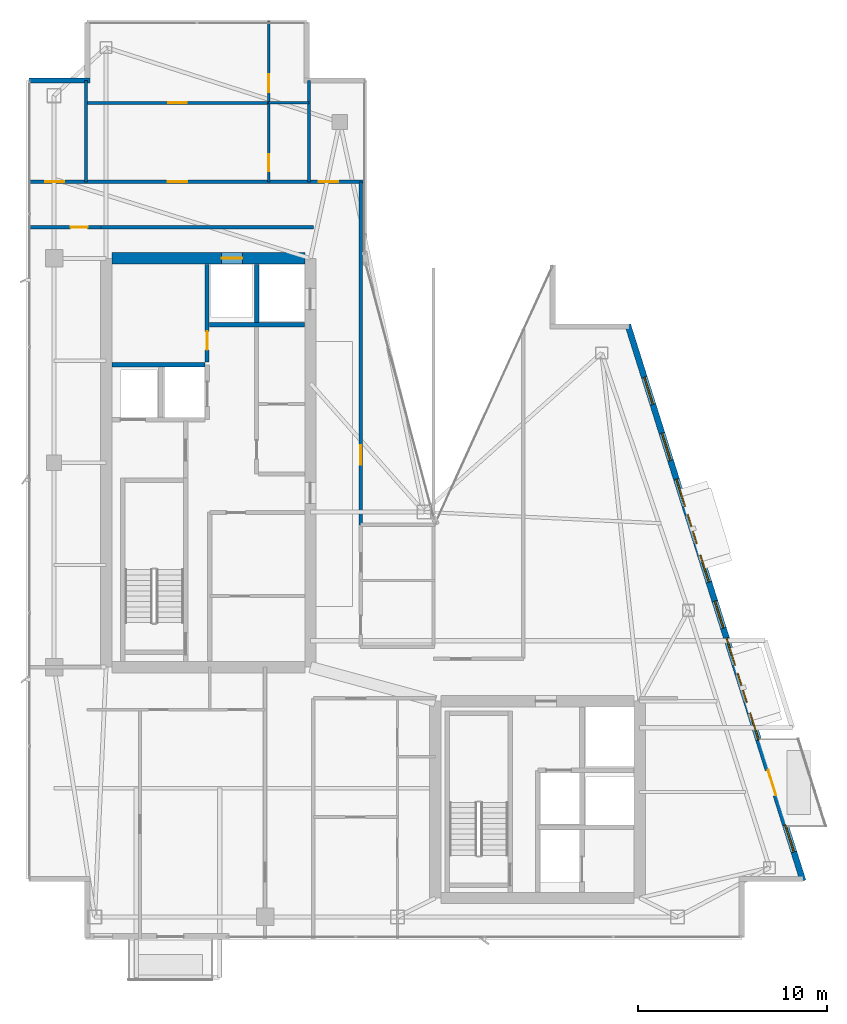
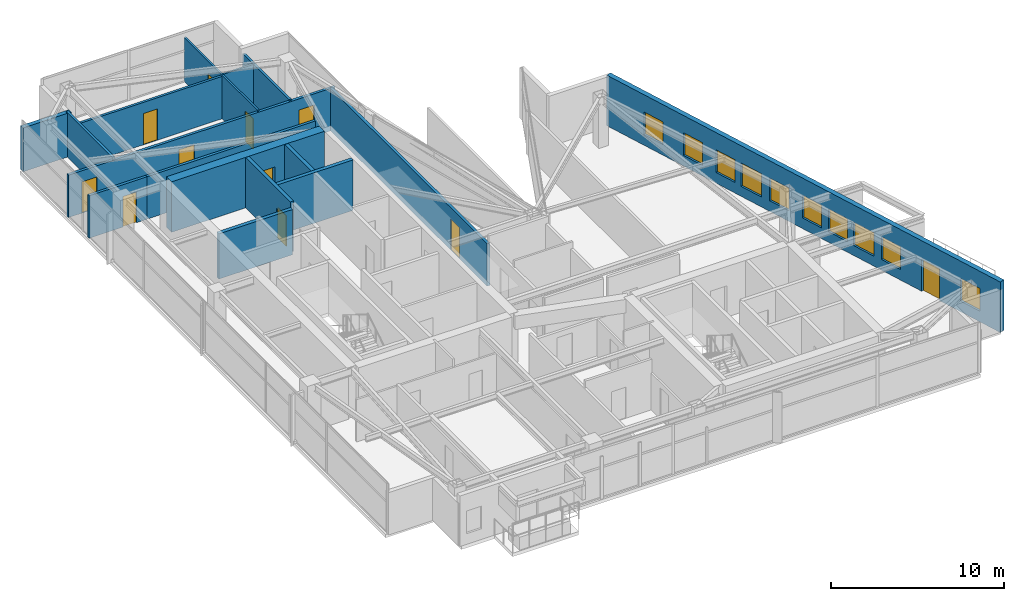
# One storey, part 24 of 27: 16 walls, 11 doors, 10 windows, 21 openings.
"""IFC4 building model written with IfcOpenShell, lengths in metres."""

from ifc_helpers import new_model, si_unit, direction, frame, frame_2d, origin, place, context, subcontext, project, spatial, rectangle, extrude, material, layer, layer_set, type_object, element, fill, save


model = new_model("IFC4")

# Units and contexts
model_context = context("Model", 3, precision=1e-05, world=origin(), true_north=direction((0.0, 1.0)))
body_context = subcontext(model_context, "Body", "Model", "MODEL_VIEW")
ifc_project = project(units=[si_unit("LENGTHUNIT", "METRE"), si_unit("AREAUNIT", "SQUARE_METRE"), si_unit("VOLUMEUNIT", "CUBIC_METRE"), si_unit("PLANEANGLEUNIT", "RADIAN"), si_unit("MASSUNIT", "GRAM", prefix="KILO")], contexts=[model_context])

# Site, building, storey
site_placement = place(None, origin())
site = spatial("IfcSite", under=ifc_project, at=site_placement, CompositionType="ELEMENT")
building_placement = place(site_placement, origin())
building = spatial("IfcBuilding", under=site, at=building_placement, Name="Calvorn Quay Hotel", CompositionType="ELEMENT")
storey_placement = place(building_placement, frame((0.0, 0.0, 291.10009765625)))
storey = spatial("IfcBuildingStorey", under=building, at=storey_placement, Name="L72", CompositionType="ELEMENT", Elevation=291.10009765625)

# Wall, opening, door
ifc_material_1 = material(Name="Concrete C45", Category="concrete")
ifc_layer_1 = layer(ifc_material_1, 0.60009765625)
ifc_layer_set_1 = layer_set([ifc_layer_1], Name="WL-CORE-600")
wall_type_1 = type_object("IfcWallType", Name="WL-CORE-600", PredefinedType="SHEAR", material=ifc_layer_set_1)
wall_1_placement = place(storey_placement, frame((4.5, 38.39990234375, 0.0), z_axis=(0.0, 0.0, 1.0), x_axis=(1.0, 0.0, 0.0)))
wall_1 = element("IfcWall", 1, at=wall_1_placement, inside=storey, type_object=wall_type_1, Name="West Core Shear Wall N (L72)", PredefinedType="SHEAR", context=body_context, shape_type="SweptSolid", body=[
    extrude(rectangle(XDim=10.199951171875, YDim=0.60009765625, at=frame_2d((5.10009765625, 0.0))), origin(), (0.0, 0.0, 1.0), 3.559814453125),
])
opening_1_placement = place(wall_1_placement, frame((5.800048828125, 0.0, 0.0)))
opening_1 = element("IfcOpeningElement", 2, at=opening_1_placement, cuts=wall_1, Name="Opening LD-L72-H2", PredefinedType="OPENING", context=body_context, shape_type="SweptSolid", body=[
    extrude(rectangle(XDim=1.10009765625, YDim=2.199951171875, at=frame_2d((0.550048828125, 1.10009765625))), frame((0.0, 0.31005859375, 0.0), z_axis=(0.0, -1.0, 0.0), x_axis=(1.0, 0.0, 0.0)), (0.0, 0.0, 1.0), 0.6201171875),
])
ifc_material_2 = material(Name="Brushed Stainless Steel Sliding Lift Landing Door", Category="steel")
door_type_1 = type_object("IfcDoorType", Name="DR-LIFT-PASS-1100", OperationType="NOTDEFINED", PredefinedType="DOOR", material=ifc_material_2)
door_1_placement = place(opening_1_placement, origin())
door_1 = element("IfcDoor", 3, at=door_1_placement, inside=storey, type_object=door_type_1, Name="High-Rise Lift PL-H2 Landing Door (L72)", OperationType="DOUBLE_DOOR_SLIDING", OverallHeight=2.199951171875, OverallWidth=1.10009765625, PredefinedType="DOOR", context=body_context, shape_type="SweptSolid", body=[
    extrude(rectangle(XDim=1.10009765625, YDim=2.199951171875, at=frame_2d((0.550048828125, 1.10009765625))), frame((0.0, 0.02490234375, 0.0), z_axis=(0.0, -1.0, 0.0), x_axis=(1.0, 0.0, 0.0)), (0.0, 0.0, 1.0), 0.050048828125),
])
fill(opening_1, door_1)

ifc_material_3 = material(Name="Acoustic Fireboard Steel-Stud Partition", Category="steel")
ifc_layer_2 = layer(ifc_material_3, 0.179931640625)
ifc_layer_set_2 = layer_set([ifc_layer_2], Name="WL-CORR-FIRE-180")
wall_type_2 = type_object("IfcWallType", Name="WL-CORR-FIRE-180", PredefinedType="PARTITIONING", material=ifc_layer_set_2)
wall_2_placement = place(storey_placement, frame((0.080078125, 40.050048828125, 0.0), z_axis=(0.0, 0.0, 1.0), x_axis=(1.0, 0.0, 0.0)))
wall_2 = element("IfcWall", 4, at=wall_2_placement, inside=storey, type_object=wall_type_2, Name="Partition Wall L72-WL-WBAY-N-DOOR", PredefinedType="PARTITIONING", context=body_context, shape_type="SweptSolid", body=[
    extrude(rectangle(XDim=3.849853515625, YDim=0.179931640625, at=frame_2d((1.9248046875, 0.0))), origin(), (0.0, 0.0, 1.0), 2.989990234375),
])
opening_2_placement = place(wall_2_placement, frame((2.25, 0.0, 0.0)))
opening_2 = element("IfcOpeningElement", 5, at=opening_2_placement, cuts=wall_2, Name="Opening D-L72-WBN", PredefinedType="OPENING", context=body_context, shape_type="SweptSolid", body=[
    extrude(rectangle(XDim=0.89990234375, YDim=2.14990234375, at=frame_2d((0.449951171875, 1.074951171875))), frame((0.0, 0.099853515625, 0.0), z_axis=(0.0, -1.0, 0.0), x_axis=(1.0, 0.0, 0.0)), (0.0, 0.0, 1.0), 0.199951171875),
])
ifc_material_4 = material(Name="Moisture-Sealed Timber En-Suite Door", Category="wood")
door_type_2 = type_object("IfcDoorType", Name="DR-ENSUITE-900", OperationType="NOTDEFINED", PredefinedType="DOOR", material=ifc_material_4)
door_2_placement = place(opening_2_placement, origin())
door_2 = element("IfcDoor", 6, at=door_2_placement, inside=storey, type_object=door_type_2, Name="West North Bay Door (L72)", OperationType="SINGLE_SWING_LEFT", OverallHeight=2.14990234375, OverallWidth=0.89990234375, PredefinedType="DOOR", context=body_context, shape_type="SweptSolid", body=[
    extrude(rectangle(XDim=0.89990234375, YDim=2.14990234375, at=frame_2d((0.449951171875, 1.074951171875))), frame((0.0, 0.02490234375, 0.0), z_axis=(0.0, -1.0, 0.0), x_axis=(1.0, 0.0, 0.0)), (0.0, 0.0, 1.0), 0.050048828125),
])
fill(opening_2, door_2)

# Wall, openings, doors
wall_3_placement = place(storey_placement, frame((0.080078125, 42.449951171875, 0.0), z_axis=(0.0, 0.0, 1.0), x_axis=(1.0, 0.0, 0.0)))
wall_3 = element("IfcWall", 7, at=wall_3_placement, inside=storey, type_object=wall_type_2, Name="Partition Wall L72-WL-CORR-NW-N", PredefinedType="PARTITIONING", context=body_context, shape_type="SweptSolid", body=[
    extrude(rectangle(XDim=17.77001953125, YDim=0.179931640625, at=frame_2d((8.885009765625, 0.0))), origin(), (0.0, 0.0, 1.0), 2.989990234375),
])
opening_3_placement = place(wall_3_placement, frame((0.89990234375, 0.0, 0.0)))
opening_3 = element("IfcOpeningElement", 8, at=opening_3_placement, cuts=wall_3, Name="Opening D-L72-NWW", PredefinedType="OPENING", context=body_context, shape_type="SweptSolid", body=[
    extrude(rectangle(XDim=1.02001953125, YDim=2.199951171875, at=frame_2d((0.510009765625, 1.10009765625))), frame((0.0, 0.099853515625, 0.0), z_axis=(0.0, -1.0, 0.0), x_axis=(1.0, 0.0, 0.0)), (0.0, 0.0, 1.0), 0.199951171875),
])
opening_4_placement = place(wall_3_placement, frame((7.3798828125, 0.0, 0.0)))
opening_4 = element("IfcOpeningElement", 9, at=opening_4_placement, cuts=wall_3, Name="Opening D-L72-U03", PredefinedType="OPENING", context=body_context, shape_type="SweptSolid", body=[
    extrude(rectangle(XDim=1.02001953125, YDim=2.199951171875, at=frame_2d((0.510009765625, 1.10009765625))), frame((0.0, 0.099853515625, 0.0), z_axis=(0.0, -1.0, 0.0), x_axis=(1.0, 0.0, 0.0)), (0.0, 0.0, 1.0), 0.199951171875),
])
opening_5_placement = place(wall_3_placement, frame((15.3701171875, 0.0, 0.0)))
opening_5 = element("IfcOpeningElement", 10, at=opening_5_placement, cuts=wall_3, Name="Opening D-L72-NWE", PredefinedType="OPENING", context=body_context, shape_type="SweptSolid", body=[
    extrude(rectangle(XDim=1.02001953125, YDim=2.199951171875, at=frame_2d((0.510009765625, 1.10009765625))), frame((0.0, 0.099853515625, 0.0), z_axis=(0.0, -1.0, 0.0), x_axis=(1.0, 0.0, 0.0)), (0.0, 0.0, 1.0), 0.199951171875),
])
ifc_material_5 = material(Name="Solid-Core Walnut Veneer Hotel Fire Door")
door_type_3 = type_object("IfcDoorType", Name="DR-GUEST-ENTRY-1020", OperationType="NOTDEFINED", PredefinedType="DOOR", material=ifc_material_5)
door_3_placement = place(opening_3_placement, origin())
door_3 = element("IfcDoor", 11, at=door_3_placement, inside=storey, type_object=door_type_3, Name="West Corner Study Door (L72)", OperationType="SINGLE_SWING_LEFT", OverallHeight=2.199951171875, OverallWidth=1.02001953125, PredefinedType="DOOR", context=body_context, shape_type="SweptSolid", body=[
    extrude(rectangle(XDim=1.02001953125, YDim=2.199951171875, at=frame_2d((0.510009765625, 1.10009765625))), frame((0.0, 0.02490234375, 0.0), z_axis=(0.0, -1.0, 0.0), x_axis=(1.0, 0.0, 0.0)), (0.0, 0.0, 1.0), 0.050048828125),
])
fill(opening_3, door_3)
door_4_placement = place(opening_4_placement, origin())
door_4 = element("IfcDoor", 12, at=door_4_placement, inside=storey, type_object=door_type_3, Name="North-West Unit Door U03 (L72)", OperationType="SINGLE_SWING_RIGHT", OverallHeight=2.199951171875, OverallWidth=1.02001953125, PredefinedType="DOOR", context=body_context, shape_type="SweptSolid", body=[
    extrude(rectangle(XDim=1.02001953125, YDim=2.199951171875, at=frame_2d((0.510009765625, 1.10009765625))), frame((0.0, 0.02490234375, 0.0), z_axis=(0.0, -1.0, 0.0), x_axis=(1.0, 0.0, 0.0)), (0.0, 0.0, 1.0), 0.050048828125),
])
fill(opening_4, door_4)
door_5_placement = place(opening_5_placement, origin())
door_5 = element("IfcDoor", 13, at=door_5_placement, inside=storey, type_object=door_type_3, Name="Inner Court Study Door (L72)", OperationType="SINGLE_SWING_RIGHT", OverallHeight=2.199951171875, OverallWidth=1.02001953125, PredefinedType="DOOR", context=body_context, shape_type="SweptSolid", body=[
    extrude(rectangle(XDim=1.02001953125, YDim=2.199951171875, at=frame_2d((0.510009765625, 1.10009765625))), frame((0.0, 0.02490234375, 0.0), z_axis=(0.0, -1.0, 0.0), x_axis=(1.0, 0.0, 0.0)), (0.0, 0.0, 1.0), 0.050048828125),
])
fill(opening_5, door_5)

# Wall, opening, door
wall_4_placement = place(storey_placement, frame((17.64990234375, 24.300048828125, 0.0), z_axis=(0.0, 0.0, 1.0), x_axis=(0.0, 1.0, 0.0)))
wall_4 = element("IfcWall", 14, at=wall_4_placement, inside=storey, type_object=wall_type_2, Name="Partition Wall L72-WL-NW-CLOSURE-E", PredefinedType="PARTITIONING", context=body_context, shape_type="SweptSolid", body=[
    extrude(rectangle(XDim=18.14990234375, YDim=0.179931640625, at=frame_2d((9.074951171875, 0.0))), origin(), (0.0, 0.0, 1.0), 2.989990234375),
])
opening_6_placement = place(wall_4_placement, frame((3.199951171875, 0.0, 0.0)))
opening_6 = element("IfcOpeningElement", 15, at=opening_6_placement, cuts=wall_4, Name="Opening D-L72-NCU", PredefinedType="OPENING", context=body_context, shape_type="SweptSolid", body=[
    extrude(rectangle(XDim=1.02001953125, YDim=2.199951171875, at=frame_2d((0.510009765625, 1.10009765625))), frame((0.0, 0.099853515625, 0.0), z_axis=(0.0, -1.0, 0.0), x_axis=(1.0, 0.0, 0.0)), (0.0, 0.0, 1.0), 0.199951171875),
])
door_6_placement = place(opening_6_placement, origin())
door_6 = element("IfcDoor", 16, at=door_6_placement, inside=storey, type_object=door_type_3, Name="Inner Court Horizon Study Door (L72)", OperationType="SINGLE_SWING_RIGHT", OverallHeight=2.199951171875, OverallWidth=1.02001953125, PredefinedType="DOOR", context=body_context, shape_type="SweptSolid", body=[
    extrude(rectangle(XDim=1.02001953125, YDim=2.199951171875, at=frame_2d((0.510009765625, 1.10009765625))), frame((0.0, 0.02490234375, 0.0), z_axis=(0.0, -1.0, 0.0), x_axis=(1.0, 0.0, 0.0)), (0.0, 0.0, 1.0), 0.050048828125),
])
fill(opening_6, door_6)

# Walls
wall_5_placement = place(storey_placement, frame((3.8798828125, 40.050048828125, 0.0), z_axis=(0.0, 0.0, 1.0), x_axis=(1.0, 0.0, 0.0)))
element("IfcWall", 17, at=wall_5_placement, inside=storey, type_object=wall_type_2, Name="Partition Wall L72-WL-W-SPUR-S", PredefinedType="PARTITIONING", context=body_context, shape_type="SweptSolid", body=[
    extrude(rectangle(XDim=11.27001953125, YDim=0.179931640625, at=frame_2d((5.635009765625, 0.0))), origin(), (0.0, 0.0, 1.0), 2.989990234375),
])
ifc_material_6 = material(Name="Moisture-Resistant Tile-Backed Partition")
ifc_layer_3 = layer(ifc_material_6, 0.125)
ifc_layer_set_3 = layer_set([ifc_layer_3], Name="WL-ENSUITE-125")
wall_type_3 = type_object("IfcWallType", Name="WL-ENSUITE-125", PredefinedType="PARTITIONING", material=ifc_layer_set_3)
wall_6_placement = place(storey_placement, frame((12.7900390625, 46.6201171875, 0.0), z_axis=(0.0, 0.0, 1.0), x_axis=(1.0, 0.0, 0.0)))
element("IfcWall", 18, at=wall_6_placement, inside=storey, type_object=wall_type_3, Name="Partition Wall L72-WL-U03-BDV", PredefinedType="PARTITIONING", context=body_context, shape_type="SweptSolid", body=[
    extrude(rectangle(XDim=2.1298828125, YDim=0.125, at=frame_2d((1.06494140625, 0.0))), origin(), (0.0, 0.0, 1.0), 3.08984375),
])

# Wall, openings, doors
wall_7_placement = place(storey_placement, frame((12.7900390625, 42.449951171875, 0.0), z_axis=(0.0, 0.0, 1.0), x_axis=(0.0, 1.0, 0.0)))
wall_7 = element("IfcWall", 19, at=wall_7_placement, inside=storey, type_object=wall_type_3, Name="Partition Wall L72-WL-U03-BV", PredefinedType="PARTITIONING", context=body_context, shape_type="SweptSolid", body=[
    extrude(rectangle(XDim=8.489990234375, YDim=0.125, at=frame_2d((4.2451171875, 0.0))), origin(), (0.0, 0.0, 1.0), 3.08984375),
])
opening_7_placement = place(wall_7_placement, frame((0.550048828125, 0.0, 0.0)))
opening_7 = element("IfcOpeningElement", 20, at=opening_7_placement, cuts=wall_7, Name="Opening D-L72-E03", PredefinedType="OPENING", context=body_context, shape_type="SweptSolid", body=[
    extrude(rectangle(XDim=0.89990234375, YDim=2.14990234375, at=frame_2d((0.449951171875, 1.074951171875))), frame((0.0, 0.072509765625, 0.0), z_axis=(0.0, -1.0, 0.0), x_axis=(1.0, 0.0, 0.0)), (0.0, 0.0, 1.0), 0.14501953125),
])
opening_8_placement = place(wall_7_placement, frame((4.719970703125, 0.0, 0.0)))
opening_8 = element("IfcOpeningElement", 21, at=opening_8_placement, cuts=wall_7, Name="Opening D-L72-S03", PredefinedType="OPENING", context=body_context, shape_type="SweptSolid", body=[
    extrude(rectangle(XDim=0.9599609375, YDim=2.199951171875, at=frame_2d((0.47998046875, 1.10009765625))), frame((0.0, 0.072509765625, 0.0), z_axis=(0.0, -1.0, 0.0), x_axis=(1.0, 0.0, 0.0)), (0.0, 0.0, 1.0), 0.14501953125),
])
door_7_placement = place(opening_7_placement, origin())
door_7 = element("IfcDoor", 22, at=door_7_placement, inside=storey, type_object=door_type_2, Name="En-Suite Door 03", OperationType="SINGLE_SWING_LEFT", OverallHeight=2.14990234375, OverallWidth=0.89990234375, PredefinedType="DOOR", context=body_context, shape_type="SweptSolid", body=[
    extrude(rectangle(XDim=0.89990234375, YDim=2.14990234375, at=frame_2d((0.449951171875, 1.074951171875))), frame((0.0, 0.02490234375, 0.0), z_axis=(0.0, -1.0, 0.0), x_axis=(1.0, 0.0, 0.0)), (0.0, 0.0, 1.0), 0.050048828125),
])
fill(opening_7, door_7)
ifc_material_7 = material(Name="Solid Timber Internal Suite Door", Category="wood")
door_type_4 = type_object("IfcDoorType", Name="DR-SUITE-INT-960", OperationType="NOTDEFINED", PredefinedType="DOOR", material=ifc_material_7)
door_8_placement = place(opening_8_placement, origin())
door_8 = element("IfcDoor", 23, at=door_8_placement, inside=storey, type_object=door_type_4, Name="Walk-In Wardrobe Door 03", OperationType="SINGLE_SWING_RIGHT", OverallHeight=2.199951171875, OverallWidth=0.9599609375, PredefinedType="DOOR", context=body_context, shape_type="SweptSolid", body=[
    extrude(rectangle(XDim=0.9599609375, YDim=2.199951171875, at=frame_2d((0.47998046875, 1.10009765625))), frame((0.0, 0.02490234375, 0.0), z_axis=(0.0, -1.0, 0.0), x_axis=(1.0, 0.0, 0.0)), (0.0, 0.0, 1.0), 0.050048828125),
])
fill(opening_8, door_8)

# Wall
ifc_material_8 = material(Name="Concrete C40", Category="concrete")
ifc_layer_4 = layer(ifc_material_8, 0.320068359375)
ifc_layer_set_4 = layer_set([ifc_layer_4], Name="WL-EXT-SPANDREL-320")
wall_type_4 = type_object("IfcWallType", Name="WL-EXT-SPANDREL-320", PredefinedType="SOLIDWALL", material=ifc_layer_set_4)
wall_8_placement = place(storey_placement, frame((3.340087890625, 47.800048828125, 0.0), z_axis=(0.0, 0.0, 1.0), x_axis=(-1.0, 0.0, 0.0)))
element("IfcWall", 24, at=wall_8_placement, inside=storey, type_object=wall_type_4, Name="Notched Corner Spandrel L72-NW2", PredefinedType="SOLIDWALL", context=body_context, shape_type="SweptSolid", body=[
    extrude(rectangle(XDim=3.219970703125, YDim=0.280029296875, at=frame_2d((1.60986328125, 0.0))), origin(), (0.0, 0.0, 1.0), 3.08984375),
])

# Wall, openings, door, windows
wall_9_placement = place(storey_placement, frame((41.030029296875, 5.5048828125, 0.0), z_axis=(0.0, 0.0, 1.0), x_axis=(-0.300509063924, 0.953778958931, 0.0)))
wall_9 = element("IfcWall", 25, at=wall_9_placement, inside=storey, type_object=wall_type_4, Name="East Stepped Waterfront Exterior Wall (L72)", PredefinedType="SOLIDWALL", context=body_context, shape_type="SweptSolid", body=[
    extrude(rectangle(XDim=30.814453125, YDim=0.320068359375, at=frame_2d((15.4072265625, 0.0))), origin(), (0.0, 0.0, 1.0), 3.559814453125),
])
opening_9_placement = place(wall_9_placement, frame((4.7470703125, 0.0, 0.0)))
opening_9 = element("IfcOpeningElement", 26, at=opening_9_placement, cuts=wall_9, Name="Opening DB-L72-1", PredefinedType="OPENING", context=body_context, shape_type="SweptSolid", body=[
    extrude(rectangle(XDim=1.39990234375, YDim=2.25, at=frame_2d((0.699951171875, 1.125))), frame((0.0, 0.169921875, 0.0), z_axis=(0.0, -1.0, 0.0), x_axis=(1.0, 0.0, 0.0)), (0.0, 0.0, 1.0), 0.340087890625),
])
opening_10_placement = place(wall_9_placement, frame((9.888916015625, 0.0, 0.699951171875)))
opening_10 = element("IfcOpeningElement", 27, at=opening_10_placement, cuts=wall_9, Name="Opening WHD-L72-1", PredefinedType="OPENING", context=body_context, shape_type="SweptSolid", body=[
    extrude(rectangle(XDim=1.60009765625, YDim=1.64990234375, at=frame_2d((0.800048828125, 0.824951171875))), frame((0.0, 0.169921875, 0.0), z_axis=(0.0, -1.0, 0.0), x_axis=(1.0, 0.0, 0.0)), (0.0, 0.0, 1.0), 0.340087890625),
])
opening_11_placement = place(wall_9_placement, frame((18.696044921875, 0.0, 0.699951171875)))
opening_11 = element("IfcOpeningElement", 28, at=opening_11_placement, cuts=wall_9, Name="Opening WHD-L72-2", PredefinedType="OPENING", context=body_context, shape_type="SweptSolid", body=[
    extrude(rectangle(XDim=1.60009765625, YDim=1.64990234375, at=frame_2d((0.800048828125, 0.824951171875))), frame((0.0, 0.169921875, 0.0), z_axis=(0.0, -1.0, 0.0), x_axis=(1.0, 0.0, 0.0)), (0.0, 0.0, 1.0), 0.340087890625),
])
opening_12_placement = place(wall_9_placement, frame((1.60009765625, 0.0, 0.75)))
opening_12 = element("IfcOpeningElement", 29, at=opening_12_placement, cuts=wall_9, Name="Opening WG-L72-E1", PredefinedType="OPENING", context=body_context, shape_type="SweptSolid", body=[
    extrude(rectangle(XDim=1.5, YDim=1.60009765625, at=frame_2d((0.75, 0.800048828125))), frame((0.0, 0.169921875, 0.0), z_axis=(0.0, -1.0, 0.0), x_axis=(1.0, 0.0, 0.0)), (0.0, 0.0, 1.0), 0.340087890625),
])
opening_13_placement = place(wall_9_placement, frame((7.800048828125, 0.0, 0.75)))
opening_13 = element("IfcOpeningElement", 30, at=opening_13_placement, cuts=wall_9, Name="Opening WG-L72-E2", PredefinedType="OPENING", context=body_context, shape_type="SweptSolid", body=[
    extrude(rectangle(XDim=1.5, YDim=1.60009765625, at=frame_2d((0.75, 0.800048828125))), frame((0.0, 0.169921875, 0.0), z_axis=(0.0, -1.0, 0.0), x_axis=(1.0, 0.0, 0.0)), (0.0, 0.0, 1.0), 0.340087890625),
])
opening_14_placement = place(wall_9_placement, frame((11.949951171875, 0.0, 0.75)))
opening_14 = element("IfcOpeningElement", 31, at=opening_14_placement, cuts=wall_9, Name="Opening WG-L72-E3", PredefinedType="OPENING", context=body_context, shape_type="SweptSolid", body=[
    extrude(rectangle(XDim=1.5, YDim=1.60009765625, at=frame_2d((0.75, 0.800048828125))), frame((0.0, 0.169921875, 0.0), z_axis=(0.0, -1.0, 0.0), x_axis=(1.0, 0.0, 0.0)), (0.0, 0.0, 1.0), 0.340087890625),
])
opening_15_placement = place(wall_9_placement, frame((14.0, 0.0, 0.75)))
opening_15 = element("IfcOpeningElement", 32, at=opening_15_placement, cuts=wall_9, Name="Opening WG-L72-E4", PredefinedType="OPENING", context=body_context, shape_type="SweptSolid", body=[
    extrude(rectangle(XDim=1.5, YDim=1.60009765625, at=frame_2d((0.75, 0.800048828125))), frame((0.0, 0.169921875, 0.0), z_axis=(0.0, -1.0, 0.0), x_axis=(1.0, 0.0, 0.0)), (0.0, 0.0, 1.0), 0.340087890625),
])
opening_16_placement = place(wall_9_placement, frame((16.550048828125, 0.0, 0.75)))
opening_16 = element("IfcOpeningElement", 33, at=opening_16_placement, cuts=wall_9, Name="Opening WG-L72-E5", PredefinedType="OPENING", context=body_context, shape_type="SweptSolid", body=[
    extrude(rectangle(XDim=1.5, YDim=1.60009765625, at=frame_2d((0.75, 0.800048828125))), frame((0.0, 0.169921875, 0.0), z_axis=(0.0, -1.0, 0.0), x_axis=(1.0, 0.0, 0.0)), (0.0, 0.0, 1.0), 0.340087890625),
])
opening_17_placement = place(wall_9_placement, frame((20.75, 0.0, 0.75)))
opening_17 = element("IfcOpeningElement", 34, at=opening_17_placement, cuts=wall_9, Name="Opening WG-L72-E6", PredefinedType="OPENING", context=body_context, shape_type="SweptSolid", body=[
    extrude(rectangle(XDim=1.5, YDim=1.60009765625, at=frame_2d((0.75, 0.800048828125))), frame((0.0, 0.169921875, 0.0), z_axis=(0.0, -1.0, 0.0), x_axis=(1.0, 0.0, 0.0)), (0.0, 0.0, 1.0), 0.340087890625),
])
opening_18_placement = place(wall_9_placement, frame((23.300048828125, 0.0, 0.75)))
opening_18 = element("IfcOpeningElement", 35, at=opening_18_placement, cuts=wall_9, Name="Opening WG-L72-E7", PredefinedType="OPENING", context=body_context, shape_type="SweptSolid", body=[
    extrude(rectangle(XDim=1.5, YDim=1.60009765625, at=frame_2d((0.75, 0.800048828125))), frame((0.0, 0.169921875, 0.0), z_axis=(0.0, -1.0, 0.0), x_axis=(1.0, 0.0, 0.0)), (0.0, 0.0, 1.0), 0.340087890625),
])
opening_19_placement = place(wall_9_placement, frame((26.39990234375, 0.0, 0.75)))
opening_19 = element("IfcOpeningElement", 36, at=opening_19_placement, cuts=wall_9, Name="Opening WG-L72-E8", PredefinedType="OPENING", context=body_context, shape_type="SweptSolid", body=[
    extrude(rectangle(XDim=1.5, YDim=1.60009765625, at=frame_2d((0.75, 0.800048828125))), frame((0.0, 0.169921875, 0.0), z_axis=(0.0, -1.0, 0.0), x_axis=(1.0, 0.0, 0.0)), (0.0, 0.0, 1.0), 0.340087890625),
])
ifc_material_9 = material(Name="Typhoon-Rated Low-E Aluminium Terrace Door", Category="aluminium")
door_type_5 = type_object("IfcDoorType", Name="DR-BALCONY-GLZ-1400", OperationType="NOTDEFINED", PredefinedType="DOOR", material=ifc_material_9)
door_9_placement = place(opening_9_placement, origin())
door_9 = element("IfcDoor", 37, at=door_9_placement, inside=storey, type_object=door_type_5, Name="Tree Balcony Terrace Door L72-BALC-E", OperationType="SINGLE_SWING_LEFT", OverallHeight=2.25, OverallWidth=1.39990234375, PredefinedType="DOOR", context=body_context, shape_type="SweptSolid", body=[
    extrude(rectangle(XDim=1.39990234375, YDim=2.25, at=frame_2d((0.699951171875, 1.125))), frame((0.0, 0.02490234375, 0.0), z_axis=(0.0, -1.0, 0.0), x_axis=(1.0, 0.0, 0.0)), (0.0, 0.0, 1.0), 0.050048828125),
])
fill(opening_9, door_9)
ifc_material_10 = material(Name="Champagne-Bronze Aluminium Low-E Window", Category="aluminium")
window_type_1 = type_object("IfcWindowType", Name="WIN-GUEST-SIDE-1600x2100", PartitioningType="SINGLE_PANEL", PredefinedType="WINDOW", material=ifc_material_10)
window_1_placement = place(opening_10_placement, origin())
window_1 = element("IfcWindow", 38, at=window_1_placement, inside=storey, type_object=window_type_1, Name="Bay Hood Window L72-HOOD-2", OverallHeight=1.64990234375, OverallWidth=1.60009765625, PartitioningType="SINGLE_PANEL", PredefinedType="WINDOW", context=body_context, shape_type="SweptSolid", body=[
    extrude(rectangle(XDim=1.60009765625, YDim=1.64990234375, at=frame_2d((0.800048828125, 0.824951171875))), frame((0.0, 0.030029296875, 0.0), z_axis=(0.0, -1.0, 0.0), x_axis=(1.0, 0.0, 0.0)), (0.0, 0.0, 1.0), 0.06005859375),
])
fill(opening_10, window_1)
window_2_placement = place(opening_11_placement, origin())
window_2 = element("IfcWindow", 39, at=window_2_placement, inside=storey, type_object=window_type_1, Name="Bay Hood Window L72-HOOD-3", OverallHeight=1.64990234375, OverallWidth=1.60009765625, PartitioningType="SINGLE_PANEL", PredefinedType="WINDOW", context=body_context, shape_type="SweptSolid", body=[
    extrude(rectangle(XDim=1.60009765625, YDim=1.64990234375, at=frame_2d((0.800048828125, 0.824951171875))), frame((0.0, 0.030029296875, 0.0), z_axis=(0.0, -1.0, 0.0), x_axis=(1.0, 0.0, 0.0)), (0.0, 0.0, 1.0), 0.06005859375),
])
fill(opening_11, window_2)
ifc_material_11 = material(Name="Self-Closing Class B Fire Window")
window_type_2 = type_object("IfcWindowType", Name="WIN-REFUGE-1500x1600", PartitioningType="SINGLE_PANEL", PredefinedType="WINDOW", material=ifc_material_11)
window_3_placement = place(opening_12_placement, origin())
window_3 = element("IfcWindow", 40, at=window_3_placement, inside=storey, type_object=window_type_2, Name="East Facade Window L72-E1", OverallHeight=1.60009765625, OverallWidth=1.5, PartitioningType="SINGLE_PANEL", PredefinedType="WINDOW", context=body_context, shape_type="SweptSolid", body=[
    extrude(rectangle(XDim=1.5, YDim=1.60009765625, at=frame_2d((0.75, 0.800048828125))), frame((0.0, 0.030029296875, 0.0), z_axis=(0.0, -1.0, 0.0), x_axis=(1.0, 0.0, 0.0)), (0.0, 0.0, 1.0), 0.06005859375),
])
fill(opening_12, window_3)
window_4_placement = place(opening_13_placement, origin())
window_4 = element("IfcWindow", 41, at=window_4_placement, inside=storey, type_object=window_type_2, Name="East Facade Window L72-E2", OverallHeight=1.60009765625, OverallWidth=1.5, PartitioningType="SINGLE_PANEL", PredefinedType="WINDOW", context=body_context, shape_type="SweptSolid", body=[
    extrude(rectangle(XDim=1.5, YDim=1.60009765625, at=frame_2d((0.75, 0.800048828125))), frame((0.0, 0.030029296875, 0.0), z_axis=(0.0, -1.0, 0.0), x_axis=(1.0, 0.0, 0.0)), (0.0, 0.0, 1.0), 0.06005859375),
])
fill(opening_13, window_4)
window_5_placement = place(opening_14_placement, origin())
window_5 = element("IfcWindow", 42, at=window_5_placement, inside=storey, type_object=window_type_2, Name="East Facade Window L72-E3", OverallHeight=1.60009765625, OverallWidth=1.5, PartitioningType="SINGLE_PANEL", PredefinedType="WINDOW", context=body_context, shape_type="SweptSolid", body=[
    extrude(rectangle(XDim=1.5, YDim=1.60009765625, at=frame_2d((0.75, 0.800048828125))), frame((0.0, 0.030029296875, 0.0), z_axis=(0.0, -1.0, 0.0), x_axis=(1.0, 0.0, 0.0)), (0.0, 0.0, 1.0), 0.06005859375),
])
fill(opening_14, window_5)
window_6_placement = place(opening_15_placement, origin())
window_6 = element("IfcWindow", 43, at=window_6_placement, inside=storey, type_object=window_type_2, Name="East Facade Window L72-E4", OverallHeight=1.60009765625, OverallWidth=1.5, PartitioningType="SINGLE_PANEL", PredefinedType="WINDOW", context=body_context, shape_type="SweptSolid", body=[
    extrude(rectangle(XDim=1.5, YDim=1.60009765625, at=frame_2d((0.75, 0.800048828125))), frame((0.0, 0.030029296875, 0.0), z_axis=(0.0, -1.0, 0.0), x_axis=(1.0, 0.0, 0.0)), (0.0, 0.0, 1.0), 0.06005859375),
])
fill(opening_15, window_6)
window_7_placement = place(opening_16_placement, origin())
window_7 = element("IfcWindow", 44, at=window_7_placement, inside=storey, type_object=window_type_2, Name="East Facade Window L72-E5", OverallHeight=1.60009765625, OverallWidth=1.5, PartitioningType="SINGLE_PANEL", PredefinedType="WINDOW", context=body_context, shape_type="SweptSolid", body=[
    extrude(rectangle(XDim=1.5, YDim=1.60009765625, at=frame_2d((0.75, 0.800048828125))), frame((0.0, 0.030029296875, 0.0), z_axis=(0.0, -1.0, 0.0), x_axis=(1.0, 0.0, 0.0)), (0.0, 0.0, 1.0), 0.06005859375),
])
fill(opening_16, window_7)
window_8_placement = place(opening_17_placement, origin())
window_8 = element("IfcWindow", 45, at=window_8_placement, inside=storey, type_object=window_type_2, Name="East Facade Window L72-E6", OverallHeight=1.60009765625, OverallWidth=1.5, PartitioningType="SINGLE_PANEL", PredefinedType="WINDOW", context=body_context, shape_type="SweptSolid", body=[
    extrude(rectangle(XDim=1.5, YDim=1.60009765625, at=frame_2d((0.75, 0.800048828125))), frame((0.0, 0.030029296875, 0.0), z_axis=(0.0, -1.0, 0.0), x_axis=(1.0, 0.0, 0.0)), (0.0, 0.0, 1.0), 0.06005859375),
])
fill(opening_17, window_8)
window_9_placement = place(opening_18_placement, origin())
window_9 = element("IfcWindow", 46, at=window_9_placement, inside=storey, type_object=window_type_2, Name="East Facade Window L72-E7", OverallHeight=1.60009765625, OverallWidth=1.5, PartitioningType="SINGLE_PANEL", PredefinedType="WINDOW", context=body_context, shape_type="SweptSolid", body=[
    extrude(rectangle(XDim=1.5, YDim=1.60009765625, at=frame_2d((0.75, 0.800048828125))), frame((0.0, 0.030029296875, 0.0), z_axis=(0.0, -1.0, 0.0), x_axis=(1.0, 0.0, 0.0)), (0.0, 0.0, 1.0), 0.06005859375),
])
fill(opening_18, window_9)
window_10_placement = place(opening_19_placement, origin())
window_10 = element("IfcWindow", 47, at=window_10_placement, inside=storey, type_object=window_type_2, Name="East Facade Window L72-E8", OverallHeight=1.60009765625, OverallWidth=1.5, PartitioningType="SINGLE_PANEL", PredefinedType="WINDOW", context=body_context, shape_type="SweptSolid", body=[
    extrude(rectangle(XDim=1.5, YDim=1.60009765625, at=frame_2d((0.75, 0.800048828125))), frame((0.0, 0.030029296875, 0.0), z_axis=(0.0, -1.0, 0.0), x_axis=(1.0, 0.0, 0.0)), (0.0, 0.0, 1.0), 0.06005859375),
])
fill(opening_19, window_10)

# Walls
ifc_material_12 = material(Name="Double-Stud Acoustic Gypsum Partition")
ifc_layer_5 = layer(ifc_material_12, 0.159912109375)
ifc_layer_set_5 = layer_set([ifc_layer_5], Name="WL-INTERSUITE-160")
wall_type_5 = type_object("IfcWallType", Name="WL-INTERSUITE-160", PredefinedType="PARTITIONING", material=ifc_layer_set_5)
wall_10_placement = place(storey_placement, frame((3.14990234375, 42.449951171875, 0.0), z_axis=(0.0, 0.0, 1.0), x_axis=(0.0, 1.0, 0.0)))
element("IfcWall", 48, at=wall_10_placement, inside=storey, type_object=wall_type_5, Name="Partition Wall L72-WL-NW-DIV-W0", PredefinedType="PARTITIONING", context=body_context, shape_type="SweptSolid", body=[
    extrude(rectangle(XDim=5.35009765625, YDim=0.159912109375, at=frame_2d((2.675048828125, 0.0))), origin(), (0.0, 0.0, 1.0), 3.139892578125),
])
wall_11_placement = place(storey_placement, frame((14.919921875, 42.449951171875, 0.0), z_axis=(0.0, 0.0, 1.0), x_axis=(0.0, 1.0, 0.0)))
element("IfcWall", 49, at=wall_11_placement, inside=storey, type_object=wall_type_5, Name="Partition Wall L72-WL-NW-DIV-E0", PredefinedType="PARTITIONING", context=body_context, shape_type="SweptSolid", body=[
    extrude(rectangle(XDim=5.35009765625, YDim=0.159912109375, at=frame_2d((2.675048828125, 0.0))), origin(), (0.0, 0.0, 1.0), 3.08984375),
])

# Wall, opening, door
wall_12_placement = place(storey_placement, frame((3.14990234375, 46.6201171875, 0.0), z_axis=(0.0, 0.0, 1.0), x_axis=(1.0, 0.0, 0.0)))
wall_12 = element("IfcWall", 50, at=wall_12_placement, inside=storey, type_object=wall_type_5, Name="Partition Wall L72-WL-U03-MSP", PredefinedType="PARTITIONING", context=body_context, shape_type="SweptSolid", body=[
    extrude(rectangle(XDim=9.64013671875, YDim=0.159912109375, at=frame_2d((4.820068359375, 0.0))), origin(), (0.0, 0.0, 1.0), 2.989990234375),
])
opening_20_placement = place(wall_12_placement, frame((4.340087890625, 0.0, 0.0)))
opening_20 = element("IfcOpeningElement", 51, at=opening_20_placement, cuts=wall_12, Name="Opening D-L72-M03", PredefinedType="OPENING", context=body_context, shape_type="SweptSolid", body=[
    extrude(rectangle(XDim=0.9599609375, YDim=2.199951171875, at=frame_2d((0.47998046875, 1.10009765625))), frame((0.0, 0.08984375, 0.0), z_axis=(0.0, -1.0, 0.0), x_axis=(1.0, 0.0, 0.0)), (0.0, 0.0, 1.0), 0.179931640625),
])
door_10_placement = place(opening_20_placement, origin())
door_10 = element("IfcDoor", 52, at=door_10_placement, inside=storey, type_object=door_type_4, Name="Suite Bedroom Door 03", OperationType="SINGLE_SWING_LEFT", OverallHeight=2.199951171875, OverallWidth=0.9599609375, PredefinedType="DOOR", context=body_context, shape_type="SweptSolid", body=[
    extrude(rectangle(XDim=0.9599609375, YDim=2.199951171875, at=frame_2d((0.47998046875, 1.10009765625))), frame((0.0, 0.02490234375, 0.0), z_axis=(0.0, -1.0, 0.0), x_axis=(1.0, 0.0, 0.0)), (0.0, 0.0, 1.0), 0.050048828125),
])
fill(opening_20, door_10)

ifc_material_13 = material(Name="Autoclaved Aerated Masonry Block", Category="masonry")
ifc_layer_6 = layer(ifc_material_13, 0.219970703125)
ifc_layer_set_6 = layer_set([ifc_layer_6], Name="WL-LOBBY-FIRE-220")
wall_type_6 = type_object("IfcWallType", Name="WL-LOBBY-FIRE-220", PredefinedType="SOLIDWALL", material=ifc_layer_set_6)
wall_13_placement = place(storey_placement, frame((9.5400390625, 32.919921875, 0.0), z_axis=(0.0, 0.0, 1.0), x_axis=(0.0, 1.0, 0.0)))
wall_13 = element("IfcWall", 53, at=wall_13_placement, inside=storey, type_object=wall_type_6, Name="Partition Wall L72-WL-CWW-K-E", PredefinedType="SOLIDWALL", context=body_context, shape_type="SweptSolid", body=[
    extrude(rectangle(XDim=5.16015625, YDim=0.219970703125, at=frame_2d((2.580078125, 0.0))), origin(), (0.0, 0.0, 1.0), 3.559814453125),
])
opening_21_placement = place(wall_13_placement, frame((0.64990234375, 0.0, 0.0)))
opening_21 = element("IfcOpeningElement", 54, at=opening_21_placement, cuts=wall_13, Name="Opening D-L72-CK1", PredefinedType="OPENING", context=body_context, shape_type="SweptSolid", body=[
    extrude(rectangle(XDim=0.97998046875, YDim=2.14990234375, at=frame_2d((0.489990234375, 1.074951171875))), frame((0.0, 0.119873046875, 0.0), z_axis=(0.0, -1.0, 0.0), x_axis=(1.0, 0.0, 0.0)), (0.0, 0.0, 1.0), 0.239990234375),
])
ifc_material_14 = material(Name="Painted Steel Housekeeping/Riser Fire Door", Category="steel")
door_type_6 = type_object("IfcDoorType", Name="DR-SERVICE-980", OperationType="NOTDEFINED", PredefinedType="DOOR", material=ifc_material_14)
door_11_placement = place(opening_21_placement, origin())
door_11 = element("IfcDoor", 55, at=door_11_placement, inside=storey, type_object=door_type_6, Name="Core Linen Room Door (L72)", OperationType="SINGLE_SWING_LEFT", OverallHeight=2.14990234375, OverallWidth=0.97998046875, PredefinedType="DOOR", context=body_context, shape_type="SweptSolid", body=[
    extrude(rectangle(XDim=0.97998046875, YDim=2.14990234375, at=frame_2d((0.489990234375, 1.074951171875))), frame((0.0, 0.02490234375, 0.0), z_axis=(0.0, -1.0, 0.0), x_axis=(1.0, 0.0, 0.0)), (0.0, 0.0, 1.0), 0.050048828125),
])
fill(opening_21, door_11)

# Walls
ifc_material_15 = material(Name="Concrete C40", Category="concrete")
ifc_layer_7 = layer(ifc_material_15, 0.239990234375)
ifc_layer_set_7 = layer_set([ifc_layer_7], Name="WL-SHAFT-240")
wall_type_7 = type_object("IfcWallType", Name="WL-SHAFT-240", PredefinedType="SOLIDWALL", material=ifc_layer_set_7)
wall_14_placement = place(storey_placement, frame((4.52001953125, 32.780029296875, 0.0), z_axis=(0.0, 0.0, 1.0), x_axis=(1.0, 0.0, 0.0)))
element("IfcWall", 56, at=wall_14_placement, inside=storey, type_object=wall_type_7, Name="Partition Wall L72-WL-CWW-SLW-N", PredefinedType="SOLIDWALL", context=body_context, shape_type="SweptSolid", body=[
    extrude(rectangle(XDim=4.89990234375, YDim=0.239990234375, at=frame_2d((2.449951171875, 0.0))), origin(), (0.0, 0.0, 1.0), 3.18994140625),
])
wall_15_placement = place(storey_placement, frame((9.659912109375, 34.89990234375, 0.0), z_axis=(0.0, 0.0, 1.0), x_axis=(1.0, 0.0, 0.0)))
element("IfcWall", 57, at=wall_15_placement, inside=storey, type_object=wall_type_7, Name="Partition Wall L72-WL-CWW-PLH-S", PredefinedType="SOLIDWALL", context=body_context, shape_type="SweptSolid", body=[
    extrude(rectangle(XDim=5.02001953125, YDim=0.239990234375, at=frame_2d((2.510009765625, 0.0))), origin(), (0.0, 0.0, 1.0), 3.559814453125),
])
wall_16_placement = place(storey_placement, frame((12.14990234375, 35.02001953125, 0.0), z_axis=(0.0, 0.0, 1.0), x_axis=(0.0, 1.0, 0.0)))
element("IfcWall", 58, at=wall_16_placement, inside=storey, type_object=wall_type_7, Name="Partition Wall L72-WL-CWW-PLH-DIV", PredefinedType="SOLIDWALL", context=body_context, shape_type="SweptSolid", body=[
    extrude(rectangle(XDim=3.06005859375, YDim=0.239990234375, at=frame_2d((1.530029296875, 0.0))), origin(), (0.0, 0.0, 1.0), 3.559814453125),
])

save(model, "model.ifc")
